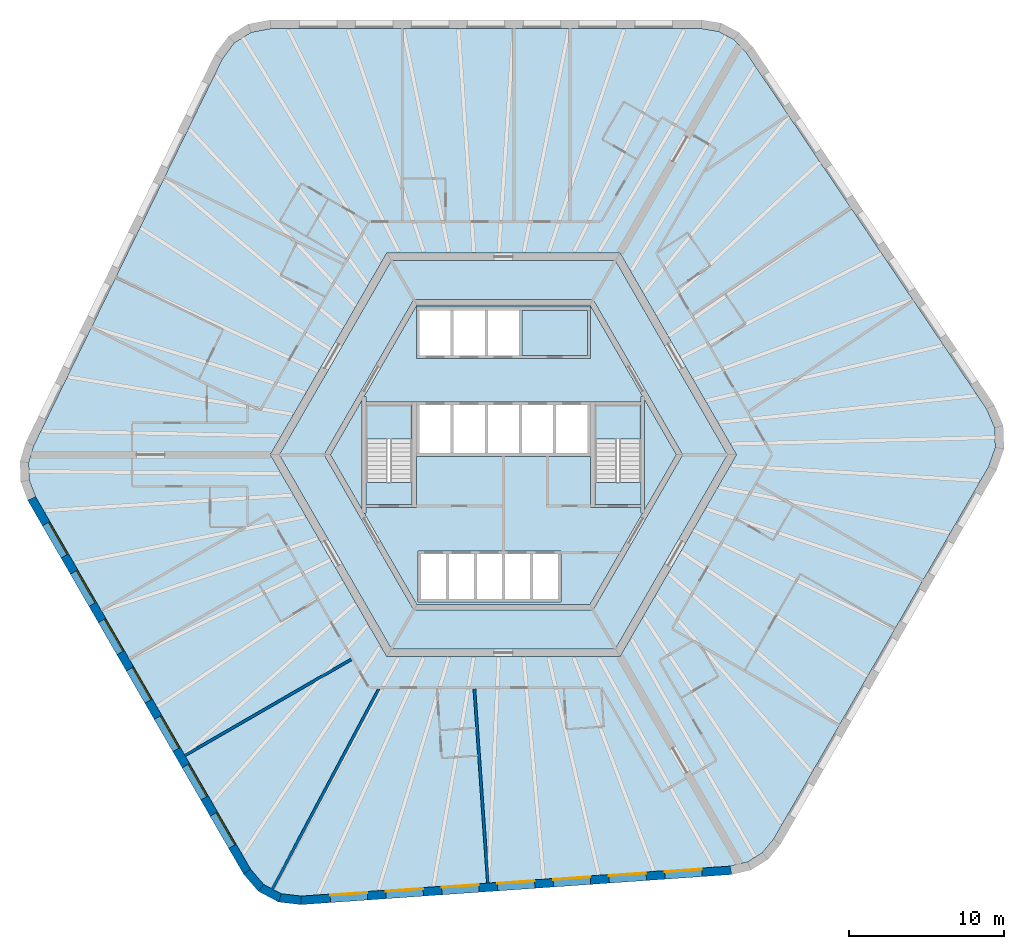
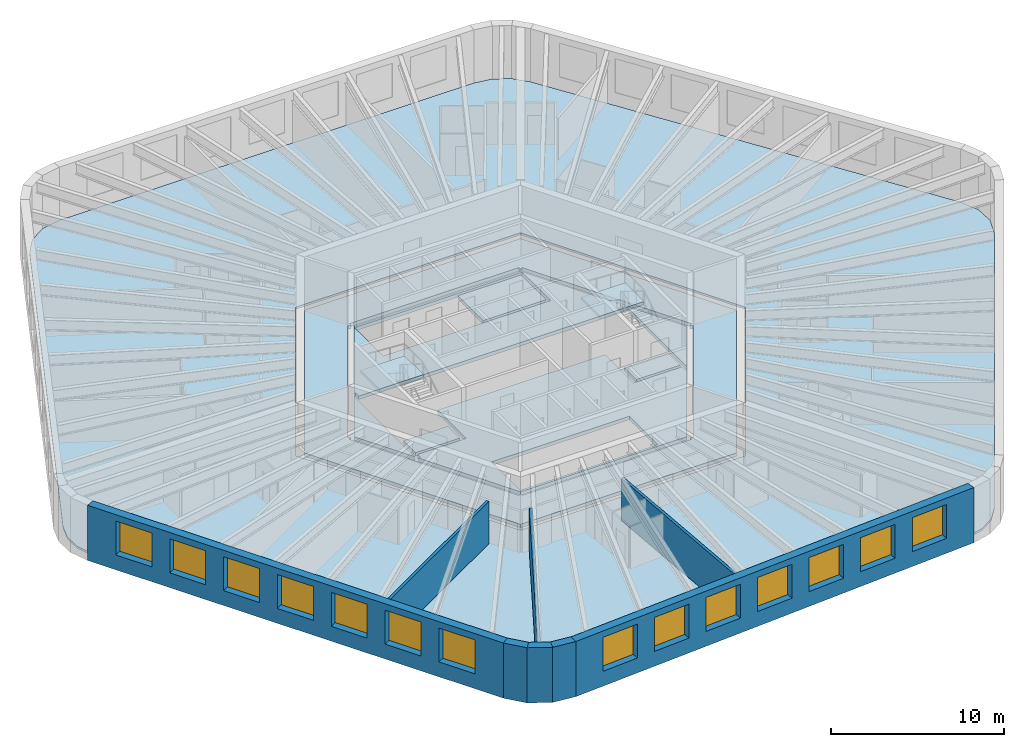
# One storey, part 2 of 10: 14 windows, 11 slabs, 8 walls, 14 openings, 2 elements without a shape of their own.
"""IFC4 building model written with IfcOpenShell, lengths in metres."""

from ifc_helpers import new_model, si_unit, direction, frame, frame_2d, origin, place, context, subcontext, project, spatial, polyline, rectangle, outline, extrude, material, layer, layer_set, type_object, element, fill, aggregate, save


model = new_model("IFC4")

# Units and contexts
model_context = context("Model", 3, precision=1e-05, world=origin(), true_north=direction((0.0, 1.0)))
body_context = subcontext(model_context, "Body", "Model", "MODEL_VIEW")
ifc_project = project(units=[si_unit("LENGTHUNIT", "METRE"), si_unit("AREAUNIT", "SQUARE_METRE"), si_unit("VOLUMEUNIT", "CUBIC_METRE"), si_unit("PLANEANGLEUNIT", "RADIAN"), si_unit("MASSUNIT", "GRAM", prefix="KILO")], contexts=[model_context])

# Site, building, storey
site_placement = place(None, origin())
site = spatial("IfcSite", under=ifc_project, at=site_placement, CompositionType="ELEMENT")
building_placement = place(site_placement, origin())
building = spatial("IfcBuilding", under=site, at=building_placement, Name="Tarnside Tower", CompositionType="ELEMENT")
storey_placement = place(building_placement, frame((0.0, 0.0, 211.199951171875)))
storey = spatial("IfcBuildingStorey", under=building, at=storey_placement, Name="L50", CompositionType="ELEMENT", Elevation=211.199951171875)

# Slabs
ifc_material_1 = material(Name="Concrete C35/45", Category="concrete")
ifc_layer_1 = layer(ifc_material_1, 0.14990234375)
ifc_layer_set_1 = layer_set([ifc_layer_1], Name="Composite floor slab 150")
slab_type_1 = type_object("IfcSlabType", Name="Composite floor slab 150", PredefinedType="FLOOR", material=ifc_layer_set_1)
slab_1_placement = place(storey_placement, frame((0.0, 0.0, -0.14990234375)))
element("IfcSlab", 1, at=slab_1_placement, inside=storey, type_object=slab_type_1, Name="Floor slab L50", PredefinedType="FLOOR", context=body_context, shape_type="SweptSolid", body=[
    extrude(outline(polyline([(13.864013671875, 27.264892578125), (14.85107421875, 26.740234375), (15.6337890625, 25.91064453125), (31.12890625, 2.938232421875), (31.644287109375, 1.7431640625), (31.68896484375, 0.468505859375), (31.258056640625, -0.759521484375), (17.403076171875, -24.7568359375), (16.68017578125, -25.63916015625), (15.732177734375, -26.2314453125), (14.622314453125, -26.494384765625), (-13.02001953125, -28.427490234375), (-14.3125, -28.2763671875), (-15.438720703125, -27.677490234375), (-16.286865234375, -26.6904296875), (-30.1416015625, -2.693115234375), (-30.544189453125, -1.6259765625), (-30.583251953125, -0.5087890625), (-30.256103515625, 0.583984375), (-18.10888671875, 25.4892578125), (-17.331787109375, 26.533203125), (-16.250244140625, 27.208984375), (-14.97119140625, 27.449951171875), (12.738525390625, 27.449951171875), (13.864013671875, 27.264892578125)]), holes=[polyline([(-15.010986328125, 0.0), (-7.505615234375, -13.0), (7.505615234375, -13.0), (15.010986328125, 0.0), (7.505615234375, 13.0), (-7.505615234375, 13.0), (-15.010986328125, 0.0)])]), origin(), (0.0, 0.0, 1.0), 0.14990234375),
])
ifc_material_2 = material(Name="Concrete C40/50", Category="concrete")
ifc_layer_2 = layer(ifc_material_2, 0.25)
ifc_layer_set_2 = layer_set([ifc_layer_2], Name="Core slab C40/50")
slab_type_2 = type_object("IfcSlabType", Name="Core slab C40/50", PredefinedType="FLOOR", material=ifc_layer_set_2)
slab_2_placement = place(storey_placement, frame((0.0, 0.0, -0.25)))
element("IfcSlab", 2, at=slab_2_placement, inside=storey, type_object=slab_type_2, Name="L50 core floor slab 1", PredefinedType="FLOOR", context=body_context, shape_type="SweptSolid", body=[
    extrude(outline(polyline([(-7.216796875, 12.5), (7.216796875, 12.5), (14.433837890625, 0.0), (7.216796875, -12.5), (-7.216796875, -12.5), (-14.433837890625, 0.0), (-7.216796875, 12.5)]), holes=[polyline([(5.823974609375, -9.91259765625), (11.49658203125, -0.08740234375), (11.344970703125, 0.0), (11.49658203125, 0.08740234375), (5.823974609375, 9.91259765625), (5.672607421875, 9.824951171875), (5.672607421875, 10.0), (-5.672607421875, 10.0), (-5.672607421875, 9.824951171875), (-5.823974609375, 9.91259765625), (-11.49658203125, 0.08740234375), (-11.344970703125, 0.0), (-11.49658203125, -0.08740234375), (-5.823974609375, -9.91259765625), (-5.672607421875, -9.824951171875), (-5.672607421875, -10.0), (5.672607421875, -10.0), (5.672607421875, -9.824951171875), (5.823974609375, -9.91259765625)])]), origin(), (0.0, 0.0, 1.0), 0.25),
])
slab_3_placement = place(storey_placement, frame((0.0, 0.0, -0.25)))
element("IfcSlab", 3, at=slab_3_placement, inside=storey, type_object=slab_type_2, Name="L50 core floor slab 2", PredefinedType="FLOOR", context=body_context, shape_type="SweptSolid", body=[
    extrude(outline(polyline([(-8.97509765625, 3.7548828125), (-5.5712890625, 9.64990234375), (5.5712890625, 9.64990234375), (8.97509765625, 3.7548828125), (8.85009765625, 3.7548828125), (8.85009765625, 3.39990234375), (5.89990234375, 3.39990234375), (5.60009765625, 3.39990234375), (5.60009765625, 3.39990234375), (-5.60009765625, 3.39990234375), (-5.89990234375, 3.39990234375), (-8.85009765625, 3.39990234375), (-8.85009765625, 3.7548828125), (-8.97509765625, 3.7548828125)]), holes=[polyline([(-5.60009765625, 6.199951171875), (5.60009765625, 6.199951171875), (5.60009765625, 6.39990234375), (5.60009765625, 9.300048828125), (5.60009765625, 9.5), (-5.60009765625, 9.5), (-5.60009765625, 9.300048828125), (-5.60009765625, 6.39990234375), (-5.60009765625, 6.199951171875)])]), origin(), (0.0, 0.0, 1.0), 0.25),
])
slab_4_placement = place(storey_placement, frame((0.0, 0.0, -0.25)))
element("IfcSlab", 4, at=slab_4_placement, inside=storey, type_object=slab_type_2, Name="L50 core floor slab 3", PredefinedType="FLOOR", context=body_context, shape_type="SweptSolid", body=[
    extrude(outline(polyline([(5.60009765625, -3.39990234375), (5.89990234375, -3.39990234375), (8.85009765625, -3.39990234375), (8.85009765625, -3.7548828125), (8.97509765625, -3.7548828125), (5.5712890625, -9.64990234375), (-5.5712890625, -9.64990234375), (-8.97509765625, -3.7548828125), (-8.85009765625, -3.7548828125), (-8.85009765625, -3.39990234375), (-5.89990234375, -3.39990234375), (-5.60009765625, -3.39990234375), (-5.60009765625, -0.10009765625), (5.60009765625, -0.10009765625), (5.60009765625, -3.39990234375)]), holes=[polyline([(-5.5, -9.300048828125), (-5.5, -9.5), (3.699951171875, -9.5), (3.699951171875, -9.300048828125), (3.699951171875, -6.39990234375), (3.699951171875, -6.199951171875), (-5.5, -6.199951171875), (-5.5, -6.39990234375), (-5.5, -9.300048828125)])]), origin(), (0.0, 0.0, 1.0), 0.25),
])
slab_5_placement = place(storey_placement, frame((0.0, 0.0, -0.25)))
element("IfcSlab", 5, at=slab_5_placement, inside=storey, type_object=slab_type_2, Name="L50 core floor slab 4", PredefinedType="FLOOR", context=body_context, shape_type="SweptSolid", body=[
    extrude(outline(polyline([(-11.142822265625, 0.0), (-9.10009765625, 3.538330078125), (-9.10009765625, -3.538330078125), (-11.142822265625, 0.0)])), origin(), (0.0, 0.0, 1.0), 0.25),
])
slab_6_placement = place(storey_placement, frame((0.0, 0.0, -0.25)))
element("IfcSlab", 6, at=slab_6_placement, inside=storey, type_object=slab_type_2, Name="L50 core floor slab 5", PredefinedType="FLOOR", context=body_context, shape_type="SweptSolid", body=[
    extrude(outline(polyline([(-8.85009765625, -1.800048828125), (-5.89990234375, -1.800048828125), (-5.89990234375, -3.199951171875), (-8.85009765625, -3.199951171875), (-8.85009765625, -1.800048828125)])), origin(), (0.0, 0.0, 1.0), 0.25),
])
slab_7_placement = place(storey_placement, frame((0.0, 0.0, -0.25)))
element("IfcSlab", 7, at=slab_7_placement, inside=storey, type_object=slab_type_2, Name="L50 core floor slab 6", PredefinedType="FLOOR", context=body_context, shape_type="SweptSolid", body=[
    extrude(outline(polyline([(5.89990234375, -3.199951171875), (5.89990234375, -1.800048828125), (8.85009765625, -1.800048828125), (8.85009765625, -3.199951171875), (5.89990234375, -3.199951171875)])), origin(), (0.0, 0.0, 1.0), 0.25),
])
slab_8_placement = place(storey_placement, frame((0.0, 0.0, -0.25)))
element("IfcSlab", 8, at=slab_8_placement, inside=storey, type_object=slab_type_2, Name="L50 core floor slab 7", PredefinedType="FLOOR", context=body_context, shape_type="SweptSolid", body=[
    extrude(outline(polyline([(9.10009765625, -3.538330078125), (9.10009765625, 3.538330078125), (11.142822265625, 0.0), (9.10009765625, -3.538330078125)])), origin(), (0.0, 0.0, 1.0), 0.25),
])
slab_9_placement = place(storey_placement, frame((0.0, 0.0, -0.25)))
element("IfcSlab", 9, at=slab_9_placement, inside=storey, type_object=slab_type_2, Name="L50 core floor slab 8", PredefinedType="FLOOR", context=body_context, shape_type="SweptSolid", body=[
    extrude(outline(polyline([(5.39990234375, 9.300048828125), (5.39990234375, 6.39990234375), (1.199951171875, 6.39990234375), (1.199951171875, 9.300048828125), (5.39990234375, 9.300048828125)])), origin(), (0.0, 0.0, 1.0), 0.25),
])

# Stair, slab
stair_type = type_object("IfcStairType", Name="Exit stair 1400 clear", PredefinedType="HALF_TURN_STAIR", material=ifc_material_2)
stair_1_placement = place(storey_placement, origin())
stair_1 = element("IfcStair", 10, at=stair_1_placement, inside=storey, type_object=stair_type, Name="L50 Exit stair 1", PredefinedType="HALF_TURN_STAIR")
ifc_layer_3 = layer(ifc_material_2, 0.199951171875)
ifc_layer_set_3 = layer_set([ifc_layer_3], Name="Stair landing 200 C40/50")
slab_type_3 = type_object("IfcSlabType", Name="Stair landing 200 C40/50", PredefinedType="LANDING", material=ifc_layer_set_3)
slab_10_placement = place(storey_placement, frame((0.0, 0.0, 1.75)))
slab_10 = element("IfcSlab", 11, at=slab_10_placement, type_object=slab_type_3, Name="ST1 landing 1", PredefinedType="LANDING", context=body_context, shape_type="SweptSolid", body=[
    extrude(outline(polyline([(8.85009765625, 1.0), (8.85009765625, 3.199951171875), (5.89990234375, 3.199951171875), (5.89990234375, 1.0), (8.85009765625, 1.0)])), origin(), (0.0, 0.0, 1.0), 0.199951171875),
])
aggregate(stair_1, [slab_10])

stair_2_placement = place(storey_placement, origin())
stair_2 = element("IfcStair", 12, at=stair_2_placement, inside=storey, type_object=stair_type, Name="L50 Exit stair 2", PredefinedType="HALF_TURN_STAIR")
slab_11_placement = place(storey_placement, frame((0.0, 0.0, 1.75)))
slab_11 = element("IfcSlab", 13, at=slab_11_placement, type_object=slab_type_3, Name="ST2 landing 1", PredefinedType="LANDING", context=body_context, shape_type="SweptSolid", body=[
    extrude(outline(polyline([(-5.89990234375, 1.0), (-5.89990234375, 3.199951171875), (-8.85009765625, 3.199951171875), (-8.85009765625, 1.0), (-5.89990234375, 1.0)])), origin(), (0.0, 0.0, 1.0), 0.199951171875),
])
aggregate(stair_2, [slab_11])

# Walls
ifc_material_3 = material(Name="Gypsum board partition on steel studs", Category="steel")
ifc_layer_4 = layer(ifc_material_3, 0.179931640625)
ifc_layer_set_4 = layer_set([ifc_layer_4], Name="Demising wall 180 EI 60")
wall_type_1 = type_object("IfcWallType", Name="Demising wall 180 EI 60", PredefinedType="PARTITIONING", material=ifc_layer_set_4)
wall_1_placement = place(storey_placement, frame((-20.513427734375, -19.36962890625, 0.0), z_axis=(0.0, 0.0, 1.0), x_axis=(0.866024931941, 0.500000817256, 0.0)))
element("IfcWall", 14, at=wall_1_placement, inside=storey, type_object=wall_type_1, Name="Demising wall 16083", PredefinedType="PARTITIONING", context=body_context, shape_type="SweptSolid", body=[
    extrude(rectangle(XDim=12.375, YDim=0.179931640625, at=frame_2d((6.1875, 0.0))), origin(), (0.0, 0.0, 1.0), 2.98779296875),
])
wall_2_placement = place(storey_placement, frame((-14.875732421875, -27.97705078125, 0.0), z_axis=(0.0, 0.0, 1.0), x_axis=(0.469468328163, 0.882949312731, 0.0)))
element("IfcWall", 15, at=wall_2_placement, inside=storey, type_object=wall_type_1, Name="Demising wall 16084", PredefinedType="PARTITIONING", context=body_context, shape_type="SweptSolid", body=[
    extrude(rectangle(XDim=14.612548828125, YDim=0.179931640625, at=frame_2d((7.30615234375, 0.0))), origin(), (0.0, 0.0, 1.0), 2.98779296875),
])
wall_3_placement = place(storey_placement, frame((-0.99609375, -27.586669921875, 0.0), z_axis=(0.0, 0.0, 1.0), x_axis=(-0.069744671963, 0.997564875451, 0.0)))
element("IfcWall", 16, at=wall_3_placement, inside=storey, type_object=wall_type_1, Name="Demising wall 16088", PredefinedType="PARTITIONING", context=body_context, shape_type="SweptSolid", body=[
    extrude(rectangle(XDim=12.542236328125, YDim=0.179931640625, at=frame_2d((6.27099609375, 0.0))), origin(), (0.0, 0.0, 1.0), 2.98779296875),
])

# Wall, openings, windows
ifc_material_4 = material(Name="Facing brick", Category="masonry")
ifc_layer_5 = layer(ifc_material_4, 0.10205078125)
ifc_material_5 = material(Name="Concrete C60/75 precast", Category="concrete")
ifc_layer_6 = layer(ifc_material_5, 0.347900390625)
ifc_material_6 = material(Name="Mineral wool insulation")
ifc_layer_7 = layer(ifc_material_6, 0.10009765625)
ifc_layer_set_5 = layer_set([ifc_layer_5, ifc_layer_6, ifc_layer_7], Name="Tube wall 550 brick faced")
wall_type_2 = type_object("IfcWallType", Name="Tube wall 550 brick faced", PredefinedType="SOLIDWALL", material=ifc_layer_set_5)
wall_4_placement = place(storey_placement, frame((-30.39111328125, -2.81103515625, -0.14990234375), z_axis=(0.0, 0.0, 1.0), x_axis=(0.499998569178, -0.866026229868, 0.0)))
wall_4 = element("IfcWall", 17, at=wall_4_placement, inside=storey, type_object=wall_type_2, Name="Tube wall L50 F3 flush 08", PredefinedType="SOLIDWALL", context=body_context, shape_type="SweptSolid", body=[
    extrude(outline(polyline([(-0.0224609375, -0.27490234375), (27.783447265625, -0.27490234375), (27.732177734375, 0.27490234375), (0.0224609375, 0.27490234375), (-0.0224609375, -0.27490234375)])), origin(), (0.0, 0.0, 1.0), 3.89990234375),
])
opening_1_placement = place(wall_4_placement, frame((1.87890625, 0.0, 1.050048828125)))
opening_1 = element("IfcOpeningElement", 18, at=opening_1_placement, cuts=wall_4, Name="Opening WH", PredefinedType="OPENING", context=body_context, shape_type="SweptSolid", body=[
    extrude(rectangle(XDim=2.39990234375, YDim=2.39990234375, at=frame_2d((1.199951171875, 1.199951171875))), frame((0.0, 0.28515625, 0.0), z_axis=(0.0, -1.0, 0.0), x_axis=(1.0, 0.0, 0.0)), (0.0, 0.0, 1.0), 0.570068359375),
])
opening_2_placement = place(wall_4_placement, frame((5.47900390625, 0.0, 1.050048828125)))
opening_2 = element("IfcOpeningElement", 19, at=opening_2_placement, cuts=wall_4, Name="Opening WH", PredefinedType="OPENING", context=body_context, shape_type="SweptSolid", body=[
    extrude(rectangle(XDim=2.39990234375, YDim=2.39990234375, at=frame_2d((1.199951171875, 1.199951171875))), frame((0.0, 0.28515625, 0.0), z_axis=(0.0, -1.0, 0.0), x_axis=(1.0, 0.0, 0.0)), (0.0, 0.0, 1.0), 0.570068359375),
])
opening_3_placement = place(wall_4_placement, frame((9.078857421875, 0.0, 1.050048828125)))
opening_3 = element("IfcOpeningElement", 20, at=opening_3_placement, cuts=wall_4, Name="Opening WH", PredefinedType="OPENING", context=body_context, shape_type="SweptSolid", body=[
    extrude(rectangle(XDim=2.39990234375, YDim=2.39990234375, at=frame_2d((1.199951171875, 1.199951171875))), frame((0.0, 0.28515625, 0.0), z_axis=(0.0, -1.0, 0.0), x_axis=(1.0, 0.0, 0.0)), (0.0, 0.0, 1.0), 0.570068359375),
])
opening_4_placement = place(wall_4_placement, frame((12.678955078125, 0.0, 1.050048828125)))
opening_4 = element("IfcOpeningElement", 21, at=opening_4_placement, cuts=wall_4, Name="Opening WH", PredefinedType="OPENING", context=body_context, shape_type="SweptSolid", body=[
    extrude(rectangle(XDim=2.39990234375, YDim=2.39990234375, at=frame_2d((1.199951171875, 1.199951171875))), frame((0.0, 0.28515625, 0.0), z_axis=(0.0, -1.0, 0.0), x_axis=(1.0, 0.0, 0.0)), (0.0, 0.0, 1.0), 0.570068359375),
])
opening_5_placement = place(wall_4_placement, frame((16.27880859375, 0.0, 1.050048828125)))
opening_5 = element("IfcOpeningElement", 22, at=opening_5_placement, cuts=wall_4, Name="Opening WH", PredefinedType="OPENING", context=body_context, shape_type="SweptSolid", body=[
    extrude(rectangle(XDim=2.39990234375, YDim=2.39990234375, at=frame_2d((1.199951171875, 1.199951171875))), frame((0.0, 0.28515625, 0.0), z_axis=(0.0, -1.0, 0.0), x_axis=(1.0, 0.0, 0.0)), (0.0, 0.0, 1.0), 0.570068359375),
])
opening_6_placement = place(wall_4_placement, frame((19.87890625, 0.0, 1.050048828125)))
opening_6 = element("IfcOpeningElement", 23, at=opening_6_placement, cuts=wall_4, Name="Opening WH", PredefinedType="OPENING", context=body_context, shape_type="SweptSolid", body=[
    extrude(rectangle(XDim=2.39990234375, YDim=2.39990234375, at=frame_2d((1.199951171875, 1.199951171875))), frame((0.0, 0.28515625, 0.0), z_axis=(0.0, -1.0, 0.0), x_axis=(1.0, 0.0, 0.0)), (0.0, 0.0, 1.0), 0.570068359375),
])
opening_7_placement = place(wall_4_placement, frame((23.47900390625, 0.0, 1.050048828125)))
opening_7 = element("IfcOpeningElement", 24, at=opening_7_placement, cuts=wall_4, Name="Opening WH", PredefinedType="OPENING", context=body_context, shape_type="SweptSolid", body=[
    extrude(rectangle(XDim=2.39990234375, YDim=2.39990234375, at=frame_2d((1.199951171875, 1.199951171875))), frame((0.0, 0.28515625, 0.0), z_axis=(0.0, -1.0, 0.0), x_axis=(1.0, 0.0, 0.0)), (0.0, 0.0, 1.0), 0.570068359375),
])
ifc_material_7 = material(Name="Aluminium-framed double glazing", Category="aluminium")
window_type = type_object("IfcWindowType", Name="Hotel window 2400 x 2400", PartitioningType="DOUBLE_PANEL_VERTICAL", PredefinedType="WINDOW", material=ifc_material_7)
window_1_placement = place(opening_1_placement, frame((0.0, 0.205078125, 0.0)))
window_1 = element("IfcWindow", 25, at=window_1_placement, inside=storey, type_object=window_type, Name="E.WN.L50.F3.00", OverallHeight=2.39990234375, OverallWidth=2.39990234375, PartitioningType="DOUBLE_PANEL_VERTICAL", PredefinedType="WINDOW", context=body_context, shape_type="SweptSolid", body=[
    extrude(rectangle(XDim=2.39990234375, YDim=2.39990234375, at=frame_2d((1.199951171875, 1.199951171875))), frame((0.0, 0.030029296875, 0.0), z_axis=(0.0, -1.0, 0.0), x_axis=(1.0, 0.0, 0.0)), (0.0, 0.0, 1.0), 0.06005859375),
])
fill(opening_1, window_1)
window_2_placement = place(opening_2_placement, frame((0.0, 0.205078125, 0.0)))
window_2 = element("IfcWindow", 26, at=window_2_placement, inside=storey, type_object=window_type, Name="E.WN.L50.F3.01", OverallHeight=2.39990234375, OverallWidth=2.39990234375, PartitioningType="DOUBLE_PANEL_VERTICAL", PredefinedType="WINDOW", context=body_context, shape_type="SweptSolid", body=[
    extrude(rectangle(XDim=2.39990234375, YDim=2.39990234375, at=frame_2d((1.199951171875, 1.199951171875))), frame((0.0, 0.030029296875, 0.0), z_axis=(0.0, -1.0, 0.0), x_axis=(1.0, 0.0, 0.0)), (0.0, 0.0, 1.0), 0.06005859375),
])
fill(opening_2, window_2)
window_3_placement = place(opening_3_placement, frame((0.0, 0.205078125, 0.0)))
window_3 = element("IfcWindow", 27, at=window_3_placement, inside=storey, type_object=window_type, Name="E.WN.L50.F3.02", OverallHeight=2.39990234375, OverallWidth=2.39990234375, PartitioningType="DOUBLE_PANEL_VERTICAL", PredefinedType="WINDOW", context=body_context, shape_type="SweptSolid", body=[
    extrude(rectangle(XDim=2.39990234375, YDim=2.39990234375, at=frame_2d((1.199951171875, 1.199951171875))), frame((0.0, 0.030029296875, 0.0), z_axis=(0.0, -1.0, 0.0), x_axis=(1.0, 0.0, 0.0)), (0.0, 0.0, 1.0), 0.06005859375),
])
fill(opening_3, window_3)
window_4_placement = place(opening_4_placement, frame((0.0, 0.205078125, 0.0)))
window_4 = element("IfcWindow", 28, at=window_4_placement, inside=storey, type_object=window_type, Name="E.WN.L50.F3.03", OverallHeight=2.39990234375, OverallWidth=2.39990234375, PartitioningType="DOUBLE_PANEL_VERTICAL", PredefinedType="WINDOW", context=body_context, shape_type="SweptSolid", body=[
    extrude(rectangle(XDim=2.39990234375, YDim=2.39990234375, at=frame_2d((1.199951171875, 1.199951171875))), frame((0.0, 0.030029296875, 0.0), z_axis=(0.0, -1.0, 0.0), x_axis=(1.0, 0.0, 0.0)), (0.0, 0.0, 1.0), 0.06005859375),
])
fill(opening_4, window_4)
window_5_placement = place(opening_5_placement, frame((0.0, 0.205078125, 0.0)))
window_5 = element("IfcWindow", 29, at=window_5_placement, inside=storey, type_object=window_type, Name="E.WN.L50.F3.04", OverallHeight=2.39990234375, OverallWidth=2.39990234375, PartitioningType="DOUBLE_PANEL_VERTICAL", PredefinedType="WINDOW", context=body_context, shape_type="SweptSolid", body=[
    extrude(rectangle(XDim=2.39990234375, YDim=2.39990234375, at=frame_2d((1.199951171875, 1.199951171875))), frame((0.0, 0.030029296875, 0.0), z_axis=(0.0, -1.0, 0.0), x_axis=(1.0, 0.0, 0.0)), (0.0, 0.0, 1.0), 0.06005859375),
])
fill(opening_5, window_5)
window_6_placement = place(opening_6_placement, frame((0.0, 0.205078125, 0.0)))
window_6 = element("IfcWindow", 30, at=window_6_placement, inside=storey, type_object=window_type, Name="E.WN.L50.F3.05", OverallHeight=2.39990234375, OverallWidth=2.39990234375, PartitioningType="DOUBLE_PANEL_VERTICAL", PredefinedType="WINDOW", context=body_context, shape_type="SweptSolid", body=[
    extrude(rectangle(XDim=2.39990234375, YDim=2.39990234375, at=frame_2d((1.199951171875, 1.199951171875))), frame((0.0, 0.030029296875, 0.0), z_axis=(0.0, -1.0, 0.0), x_axis=(1.0, 0.0, 0.0)), (0.0, 0.0, 1.0), 0.06005859375),
])
fill(opening_6, window_6)
window_7_placement = place(opening_7_placement, frame((0.0, 0.205078125, 0.0)))
window_7 = element("IfcWindow", 31, at=window_7_placement, inside=storey, type_object=window_type, Name="E.WN.L50.F3.06", OverallHeight=2.39990234375, OverallWidth=2.39990234375, PartitioningType="DOUBLE_PANEL_VERTICAL", PredefinedType="WINDOW", context=body_context, shape_type="SweptSolid", body=[
    extrude(rectangle(XDim=2.39990234375, YDim=2.39990234375, at=frame_2d((1.199951171875, 1.199951171875))), frame((0.0, 0.030029296875, 0.0), z_axis=(0.0, -1.0, 0.0), x_axis=(1.0, 0.0, 0.0)), (0.0, 0.0, 1.0), 0.06005859375),
])
fill(opening_7, window_7)

# Walls
wall_5_placement = place(storey_placement, frame((-16.51220703125, -26.85009765625, -0.14990234375), z_axis=(0.0, 0.0, 1.0), x_axis=(0.651621950847, -0.758543890078, 0.0)))
element("IfcWall", 32, at=wall_5_placement, inside=storey, type_object=wall_type_2, Name="Tube wall L50 F3 chord 09", PredefinedType="SOLIDWALL", context=body_context, shape_type="SweptSolid", body=[
    extrude(outline(polyline([(-0.025634765625, -0.27490234375), (1.430908203125, -0.27490234375), (1.327392578125, 0.27490234375), (0.025634765625, 0.27490234375), (-0.025634765625, -0.27490234375)])), origin(), (0.0, 0.0, 1.0), 3.89990234375),
])
wall_6_placement = place(storey_placement, frame((-15.613525390625, -27.896240234375, -0.14990234375), z_axis=(0.0, 0.0, 1.0), x_axis=(0.882994189209, -0.469383917304, 0.0)))
element("IfcWall", 33, at=wall_6_placement, inside=storey, type_object=wall_type_2, Name="Tube wall L50 F3 chord 10", PredefinedType="SOLIDWALL", context=body_context, shape_type="SweptSolid", body=[
    extrude(outline(polyline([(-0.0517578125, -0.27490234375), (1.4306640625, -0.27490234375), (1.3271484375, 0.27490234375), (0.0517578125, 0.27490234375), (-0.0517578125, -0.27490234375)])), origin(), (0.0, 0.0, 1.0), 3.89990234375),
])
wall_7_placement = place(storey_placement, frame((-14.39599609375, -28.54345703125, -0.14990234375), z_axis=(0.0, 0.0, 1.0), x_axis=(0.993232537394, -0.11614269956, 0.0)))
element("IfcWall", 34, at=wall_7_placement, inside=storey, type_object=wall_type_2, Name="Tube wall L50 F3 chord 11", PredefinedType="SOLIDWALL", context=body_context, shape_type="SweptSolid", body=[
    extrude(outline(polyline([(-0.0517578125, -0.27490234375), (1.404541015625, -0.27490234375), (1.353271484375, 0.27490234375), (0.0517578125, 0.27490234375), (-0.0517578125, -0.27490234375)])), origin(), (0.0, 0.0, 1.0), 3.89990234375),
])

# Wall, openings, windows
wall_8_placement = place(storey_placement, frame((-13.0263671875, -28.70361328125, -0.14990234375), z_axis=(0.0, 0.0, 1.0), x_axis=(0.99756406806, 0.069756219185, 0.0)))
wall_8 = element("IfcWall", 35, at=wall_8_placement, inside=storey, type_object=wall_type_2, Name="Tube wall L50 F4 flush 12", PredefinedType="SOLIDWALL", context=body_context, shape_type="SweptSolid", body=[
    extrude(outline(polyline([(-0.025634765625, -0.27490234375), (27.7802734375, -0.27490234375), (27.7353515625, 0.27490234375), (0.025634765625, 0.27490234375), (-0.025634765625, -0.27490234375)])), origin(), (0.0, 0.0, 1.0), 3.89990234375),
])
opening_8_placement = place(wall_8_placement, frame((1.87890625, 0.0, 1.050048828125)))
opening_8 = element("IfcOpeningElement", 36, at=opening_8_placement, cuts=wall_8, Name="Opening WH", PredefinedType="OPENING", context=body_context, shape_type="SweptSolid", body=[
    extrude(rectangle(XDim=2.39990234375, YDim=2.39990234375, at=frame_2d((1.199951171875, 1.199951171875))), frame((0.0, 0.28515625, 0.0), z_axis=(0.0, -1.0, 0.0), x_axis=(1.0, 0.0, 0.0)), (0.0, 0.0, 1.0), 0.570068359375),
])
opening_9_placement = place(wall_8_placement, frame((5.47900390625, 0.0, 1.050048828125)))
opening_9 = element("IfcOpeningElement", 37, at=opening_9_placement, cuts=wall_8, Name="Opening WH", PredefinedType="OPENING", context=body_context, shape_type="SweptSolid", body=[
    extrude(rectangle(XDim=2.39990234375, YDim=2.39990234375, at=frame_2d((1.199951171875, 1.199951171875))), frame((0.0, 0.28515625, 0.0), z_axis=(0.0, -1.0, 0.0), x_axis=(1.0, 0.0, 0.0)), (0.0, 0.0, 1.0), 0.570068359375),
])
opening_10_placement = place(wall_8_placement, frame((9.078857421875, 0.0, 1.050048828125)))
opening_10 = element("IfcOpeningElement", 38, at=opening_10_placement, cuts=wall_8, Name="Opening WH", PredefinedType="OPENING", context=body_context, shape_type="SweptSolid", body=[
    extrude(rectangle(XDim=2.39990234375, YDim=2.39990234375, at=frame_2d((1.199951171875, 1.199951171875))), frame((0.0, 0.28515625, 0.0), z_axis=(0.0, -1.0, 0.0), x_axis=(1.0, 0.0, 0.0)), (0.0, 0.0, 1.0), 0.570068359375),
])
opening_11_placement = place(wall_8_placement, frame((12.678955078125, 0.0, 1.050048828125)))
opening_11 = element("IfcOpeningElement", 39, at=opening_11_placement, cuts=wall_8, Name="Opening WH", PredefinedType="OPENING", context=body_context, shape_type="SweptSolid", body=[
    extrude(rectangle(XDim=2.39990234375, YDim=2.39990234375, at=frame_2d((1.199951171875, 1.199951171875))), frame((0.0, 0.28515625, 0.0), z_axis=(0.0, -1.0, 0.0), x_axis=(1.0, 0.0, 0.0)), (0.0, 0.0, 1.0), 0.570068359375),
])
opening_12_placement = place(wall_8_placement, frame((16.27880859375, 0.0, 1.050048828125)))
opening_12 = element("IfcOpeningElement", 40, at=opening_12_placement, cuts=wall_8, Name="Opening WH", PredefinedType="OPENING", context=body_context, shape_type="SweptSolid", body=[
    extrude(rectangle(XDim=2.39990234375, YDim=2.39990234375, at=frame_2d((1.199951171875, 1.199951171875))), frame((0.0, 0.28515625, 0.0), z_axis=(0.0, -1.0, 0.0), x_axis=(1.0, 0.0, 0.0)), (0.0, 0.0, 1.0), 0.570068359375),
])
opening_13_placement = place(wall_8_placement, frame((19.87890625, 0.0, 1.050048828125)))
opening_13 = element("IfcOpeningElement", 41, at=opening_13_placement, cuts=wall_8, Name="Opening WH", PredefinedType="OPENING", context=body_context, shape_type="SweptSolid", body=[
    extrude(rectangle(XDim=2.39990234375, YDim=2.39990234375, at=frame_2d((1.199951171875, 1.199951171875))), frame((0.0, 0.28515625, 0.0), z_axis=(0.0, -1.0, 0.0), x_axis=(1.0, 0.0, 0.0)), (0.0, 0.0, 1.0), 0.570068359375),
])
opening_14_placement = place(wall_8_placement, frame((23.47900390625, 0.0, 1.050048828125)))
opening_14 = element("IfcOpeningElement", 42, at=opening_14_placement, cuts=wall_8, Name="Opening WH", PredefinedType="OPENING", context=body_context, shape_type="SweptSolid", body=[
    extrude(rectangle(XDim=2.39990234375, YDim=2.39990234375, at=frame_2d((1.199951171875, 1.199951171875))), frame((0.0, 0.28515625, 0.0), z_axis=(0.0, -1.0, 0.0), x_axis=(1.0, 0.0, 0.0)), (0.0, 0.0, 1.0), 0.570068359375),
])
window_8_placement = place(opening_8_placement, frame((0.0, 0.205078125, 0.0)))
window_8 = element("IfcWindow", 43, at=window_8_placement, inside=storey, type_object=window_type, Name="E.WN.L50.F4.00", OverallHeight=2.39990234375, OverallWidth=2.39990234375, PartitioningType="DOUBLE_PANEL_VERTICAL", PredefinedType="WINDOW", context=body_context, shape_type="SweptSolid", body=[
    extrude(rectangle(XDim=2.39990234375, YDim=2.39990234375, at=frame_2d((1.199951171875, 1.199951171875))), frame((0.0, 0.030029296875, 0.0), z_axis=(0.0, -1.0, 0.0), x_axis=(1.0, 0.0, 0.0)), (0.0, 0.0, 1.0), 0.06005859375),
])
fill(opening_8, window_8)
window_9_placement = place(opening_9_placement, frame((0.0, 0.205078125, 0.0)))
window_9 = element("IfcWindow", 44, at=window_9_placement, inside=storey, type_object=window_type, Name="E.WN.L50.F4.01", OverallHeight=2.39990234375, OverallWidth=2.39990234375, PartitioningType="DOUBLE_PANEL_VERTICAL", PredefinedType="WINDOW", context=body_context, shape_type="SweptSolid", body=[
    extrude(rectangle(XDim=2.39990234375, YDim=2.39990234375, at=frame_2d((1.199951171875, 1.199951171875))), frame((0.0, 0.030029296875, 0.0), z_axis=(0.0, -1.0, 0.0), x_axis=(1.0, 0.0, 0.0)), (0.0, 0.0, 1.0), 0.06005859375),
])
fill(opening_9, window_9)
window_10_placement = place(opening_10_placement, frame((0.0, 0.205078125, 0.0)))
window_10 = element("IfcWindow", 45, at=window_10_placement, inside=storey, type_object=window_type, Name="E.WN.L50.F4.02", OverallHeight=2.39990234375, OverallWidth=2.39990234375, PartitioningType="DOUBLE_PANEL_VERTICAL", PredefinedType="WINDOW", context=body_context, shape_type="SweptSolid", body=[
    extrude(rectangle(XDim=2.39990234375, YDim=2.39990234375, at=frame_2d((1.199951171875, 1.199951171875))), frame((0.0, 0.030029296875, 0.0), z_axis=(0.0, -1.0, 0.0), x_axis=(1.0, 0.0, 0.0)), (0.0, 0.0, 1.0), 0.06005859375),
])
fill(opening_10, window_10)
window_11_placement = place(opening_11_placement, frame((0.0, 0.205078125, 0.0)))
window_11 = element("IfcWindow", 46, at=window_11_placement, inside=storey, type_object=window_type, Name="E.WN.L50.F4.03", OverallHeight=2.39990234375, OverallWidth=2.39990234375, PartitioningType="DOUBLE_PANEL_VERTICAL", PredefinedType="WINDOW", context=body_context, shape_type="SweptSolid", body=[
    extrude(rectangle(XDim=2.39990234375, YDim=2.39990234375, at=frame_2d((1.199951171875, 1.199951171875))), frame((0.0, 0.030029296875, 0.0), z_axis=(0.0, -1.0, 0.0), x_axis=(1.0, 0.0, 0.0)), (0.0, 0.0, 1.0), 0.06005859375),
])
fill(opening_11, window_11)
window_12_placement = place(opening_12_placement, frame((0.0, 0.205078125, 0.0)))
window_12 = element("IfcWindow", 47, at=window_12_placement, inside=storey, type_object=window_type, Name="E.WN.L50.F4.04", OverallHeight=2.39990234375, OverallWidth=2.39990234375, PartitioningType="DOUBLE_PANEL_VERTICAL", PredefinedType="WINDOW", context=body_context, shape_type="SweptSolid", body=[
    extrude(rectangle(XDim=2.39990234375, YDim=2.39990234375, at=frame_2d((1.199951171875, 1.199951171875))), frame((0.0, 0.030029296875, 0.0), z_axis=(0.0, -1.0, 0.0), x_axis=(1.0, 0.0, 0.0)), (0.0, 0.0, 1.0), 0.06005859375),
])
fill(opening_12, window_12)
window_13_placement = place(opening_13_placement, frame((0.0, 0.205078125, 0.0)))
window_13 = element("IfcWindow", 48, at=window_13_placement, inside=storey, type_object=window_type, Name="E.WN.L50.F4.05", OverallHeight=2.39990234375, OverallWidth=2.39990234375, PartitioningType="DOUBLE_PANEL_VERTICAL", PredefinedType="WINDOW", context=body_context, shape_type="SweptSolid", body=[
    extrude(rectangle(XDim=2.39990234375, YDim=2.39990234375, at=frame_2d((1.199951171875, 1.199951171875))), frame((0.0, 0.030029296875, 0.0), z_axis=(0.0, -1.0, 0.0), x_axis=(1.0, 0.0, 0.0)), (0.0, 0.0, 1.0), 0.06005859375),
])
fill(opening_13, window_13)
window_14_placement = place(opening_14_placement, frame((0.0, 0.205078125, 0.0)))
window_14 = element("IfcWindow", 49, at=window_14_placement, inside=storey, type_object=window_type, Name="E.WN.L50.F4.06", OverallHeight=2.39990234375, OverallWidth=2.39990234375, PartitioningType="DOUBLE_PANEL_VERTICAL", PredefinedType="WINDOW", context=body_context, shape_type="SweptSolid", body=[
    extrude(rectangle(XDim=2.39990234375, YDim=2.39990234375, at=frame_2d((1.199951171875, 1.199951171875))), frame((0.0, 0.030029296875, 0.0), z_axis=(0.0, -1.0, 0.0), x_axis=(1.0, 0.0, 0.0)), (0.0, 0.0, 1.0), 0.06005859375),
])
fill(opening_14, window_14)

save(model, "model.ifc")
